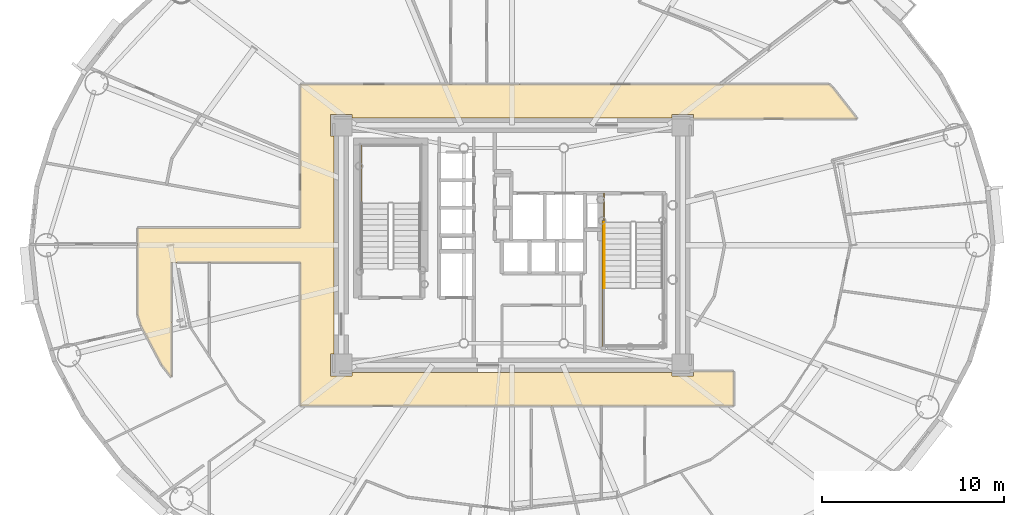
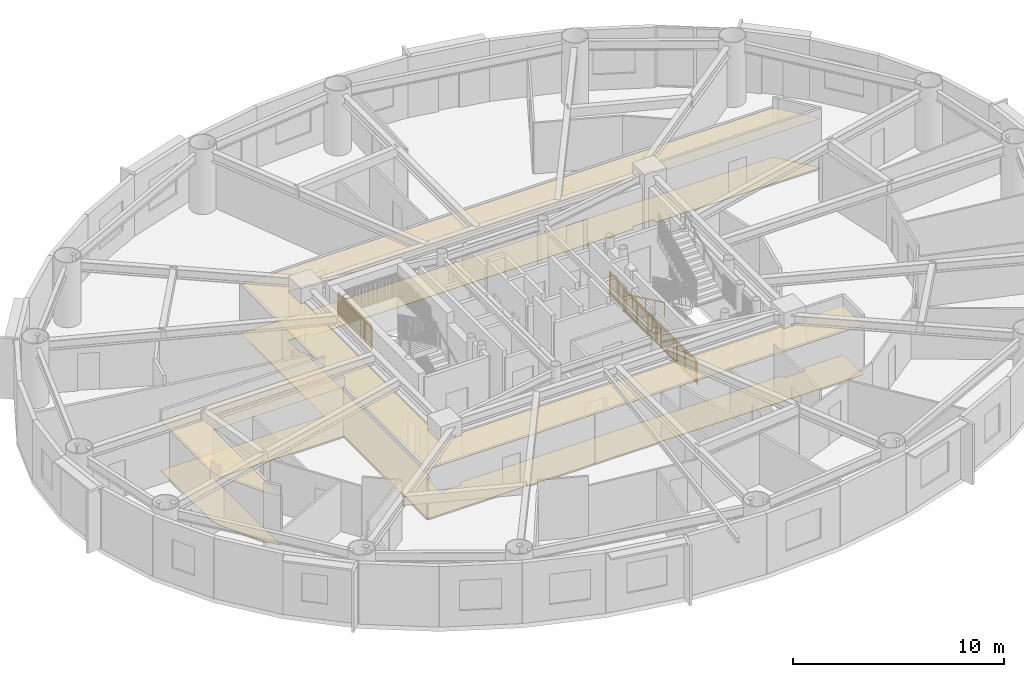
# One storey, part 17 of 21: 4 railings, 2 coverings.
"""IFC4 building model written with IfcOpenShell, lengths in metres."""

from ifc_helpers import new_model, si_unit, direction, frame, origin, origin_2d, place, context, subcontext, project, spatial, polyline, rectangle, outline, extrude, source, transform, mapped, material, layer, layer_set, type_object, element, save


model = new_model("IFC4")

# Units and contexts
model_context = context("Model", 3, precision=1e-05, world=origin(), true_north=direction((0.0, 1.0)))
body_context = subcontext(model_context, "Body", "Model", "MODEL_VIEW")
ifc_project = project(units=[si_unit("LENGTHUNIT", "METRE"), si_unit("AREAUNIT", "SQUARE_METRE"), si_unit("VOLUMEUNIT", "CUBIC_METRE"), si_unit("PLANEANGLEUNIT", "RADIAN"), si_unit("MASSUNIT", "GRAM", prefix="KILO")], contexts=[model_context])

# Site, building, storey
site_placement = place(None, origin())
site = spatial("IfcSite", under=ifc_project, at=site_placement, CompositionType="ELEMENT")
building_placement = place(site_placement, origin())
building = spatial("IfcBuilding", under=site, at=building_placement, Name="Linh Dai School and Residence Tower", CompositionType="ELEMENT")
storey_placement = place(building_placement, frame((0.0, 0.0, 189.89990234375)))
storey = spatial("IfcBuildingStorey", under=building, at=storey_placement, Name="L46", CompositionType="ELEMENT", Elevation=189.89990234375)

# Coverings
ifc_material_1 = material(Name="Mineral Fibre Acoustic Suspended Ceiling", Category="masonry")
ifc_layer_1 = layer(ifc_material_1, 0.02001953125)
ifc_layer_set_1 = layer_set([ifc_layer_1], Name="Mineral Fibre Acoustic Suspended Ceiling")
covering_type_1 = type_object("IfcCoveringType", Name="COV-CEIL-AC-20", PredefinedType="CEILING", material=ifc_layer_set_1)
covering_1_placement = place(storey_placement, frame((0.0, 0.0, 2.85009765625)))
element("IfcCovering", 1, at=covering_1_placement, inside=storey, type_object=covering_type_1, Name="L46 Residential Floor Corridor Suspended Ceiling", PredefinedType="CEILING", context=body_context, shape_type="SweptSolid", body=[
    extrude(outline(polyline([(17.25, 19.734375), (16.720458984375, 20.410888671875), (15.57421875, 22.577880859375), (15.39990234375, 23.14599609375), (15.39990234375, 27.949951171875), (24.35009765625, 27.949951171875), (24.35009765625, 35.85009765625), (53.453857421875, 35.85009765625), (53.6533203125, 35.6669921875), (54.9970703125, 33.949951171875), (46.0, 33.949951171875), (46.0, 34.199951171875), (44.800048828125, 34.199951171875), (44.800048828125, 34.0), (27.199951171875, 34.0), (27.199951171875, 34.199951171875), (26.0, 34.199951171875), (26.0, 33.0), (26.199951171875, 33.0), (26.199951171875, 21.0), (26.0, 21.0), (26.0, 19.800048828125), (27.199951171875, 19.800048828125), (27.199951171875, 20.0), (44.800048828125, 20.0), (44.800048828125, 19.800048828125), (46.0, 19.800048828125), (46.0, 20.050048828125), (48.199951171875, 20.050048828125), (48.199951171875, 18.14990234375), (24.35009765625, 18.14990234375), (24.35009765625, 26.050048828125), (17.25, 26.050048828125), (17.25, 19.734375)])), origin(), (0.0, 0.0, 1.0), 0.02001953125),
])
ifc_material_2 = material(Name="Polished Terrazzo Floor Finish", Category="masonry")
ifc_layer_2 = layer(ifc_material_2, 0.02490234375)
ifc_layer_set_2 = layer_set([ifc_layer_2], Name="Polished Terrazzo Floor Finish")
covering_type_2 = type_object("IfcCoveringType", Name="COV-FLR-TRZ-25", PredefinedType="FLOORING", material=ifc_layer_set_2)
covering_2_placement = place(storey_placement, origin())
element("IfcCovering", 2, at=covering_2_placement, inside=storey, type_object=covering_type_2, Name="L46 Residential Floor Corridor Floor Finish", PredefinedType="FLOORING", context=body_context, shape_type="SweptSolid", body=[
    extrude(outline(polyline([(17.25, 19.734375), (16.720458984375, 20.410888671875), (15.57421875, 22.577880859375), (15.39990234375, 23.14599609375), (15.39990234375, 27.949951171875), (24.35009765625, 27.949951171875), (24.35009765625, 35.85009765625), (53.453857421875, 35.85009765625), (53.6533203125, 35.6669921875), (54.9970703125, 33.949951171875), (46.0, 33.949951171875), (46.0, 34.199951171875), (44.800048828125, 34.199951171875), (44.800048828125, 34.0), (27.199951171875, 34.0), (27.199951171875, 34.199951171875), (26.0, 34.199951171875), (26.0, 33.0), (26.199951171875, 33.0), (26.199951171875, 21.0), (26.0, 21.0), (26.0, 19.800048828125), (27.199951171875, 19.800048828125), (27.199951171875, 20.0), (44.800048828125, 20.0), (44.800048828125, 19.800048828125), (46.0, 19.800048828125), (46.0, 20.050048828125), (48.199951171875, 20.050048828125), (48.199951171875, 18.14990234375), (24.35009765625, 18.14990234375), (24.35009765625, 26.050048828125), (17.25, 26.050048828125), (17.25, 19.734375)])), origin(), (0.0, 0.0, 1.0), 0.02001953125),
])

# Railings
ifc_material_3 = material(Name="Structural Steel S355JR", Category="steel")
railing_type_1 = type_object("IfcRailingType", Name="RL-ST-GUARD-1400", PredefinedType="GUARDRAIL", material=ifc_material_3)
shared_shape_1 = source(origin(), body_context, "Body", "SweptSolid", [
    extrude(rectangle(XDim=0.048095703125, YDim=0.048095703125, at=origin_2d()), frame((0.0, 0.0, 1.3759765625), z_axis=(0.0, 1.0, 0.0), x_axis=(-1.0, 0.0, 0.0)), (0.0, 0.0, 1.0), 3.199951171875),
    extrude(rectangle(XDim=0.048095703125, YDim=0.048095703125, at=origin_2d()), frame((0.0, 0.0, 0.10009765625), z_axis=(0.0, 1.0, 0.0), x_axis=(-1.0, 0.0, 0.0)), (0.0, 0.0, 1.0), 3.199951171875),
    extrude(rectangle(XDim=0.030029296875, YDim=0.030029296875, at=origin_2d()), frame((0.0, 0.0, 1.239990234375), z_axis=(0.0, 1.0, 0.0), x_axis=(-1.0, 0.0, 0.0)), (0.0, 0.0, 1.0), 3.199951171875),
    extrude(rectangle(XDim=0.02001953125, YDim=0.02001953125, at=origin_2d()), frame((0.0, 0.096923828125, 0.10009765625)), (0.0, 0.0, 1.0), 1.251708984375),
    extrude(rectangle(XDim=0.02001953125, YDim=0.02001953125, at=origin_2d()), frame((0.0, 0.19384765625, 0.10009765625)), (0.0, 0.0, 1.0), 1.251708984375),
    extrude(rectangle(XDim=0.02001953125, YDim=0.02001953125, at=origin_2d()), frame((0.0, 0.291015625, 0.10009765625)), (0.0, 0.0, 1.0), 1.251708984375),
    extrude(rectangle(XDim=0.02001953125, YDim=0.02001953125, at=origin_2d()), frame((0.0, 0.387939453125, 0.10009765625)), (0.0, 0.0, 1.0), 1.251708984375),
    extrude(rectangle(XDim=0.02001953125, YDim=0.02001953125, at=origin_2d()), frame((0.0, 0.48486328125, 0.10009765625)), (0.0, 0.0, 1.0), 1.251708984375),
    extrude(rectangle(XDim=0.02001953125, YDim=0.02001953125, at=origin_2d()), frame((0.0, 0.581787109375, 0.10009765625)), (0.0, 0.0, 1.0), 1.251708984375),
    extrude(rectangle(XDim=0.02001953125, YDim=0.02001953125, at=origin_2d()), frame((0.0, 0.6787109375, 0.10009765625)), (0.0, 0.0, 1.0), 1.251708984375),
    extrude(rectangle(XDim=0.02001953125, YDim=0.02001953125, at=origin_2d()), frame((0.0, 0.775634765625, 0.10009765625)), (0.0, 0.0, 1.0), 1.251708984375),
    extrude(rectangle(XDim=0.02001953125, YDim=0.02001953125, at=origin_2d()), frame((0.0, 0.872802734375, 0.10009765625)), (0.0, 0.0, 1.0), 1.251708984375),
    extrude(rectangle(XDim=0.02001953125, YDim=0.02001953125, at=origin_2d()), frame((0.0, 0.9697265625, 0.10009765625)), (0.0, 0.0, 1.0), 1.251708984375),
    extrude(rectangle(XDim=0.02001953125, YDim=0.02001953125, at=origin_2d()), frame((0.0, 1.16357421875, 0.10009765625)), (0.0, 0.0, 1.0), 1.251708984375),
    extrude(rectangle(XDim=0.02001953125, YDim=0.02001953125, at=origin_2d()), frame((0.0, 1.260498046875, 0.10009765625)), (0.0, 0.0, 1.0), 1.251708984375),
    extrude(rectangle(XDim=0.02001953125, YDim=0.02001953125, at=origin_2d()), frame((0.0, 1.357666015625, 0.10009765625)), (0.0, 0.0, 1.0), 1.251708984375),
    extrude(rectangle(XDim=0.02001953125, YDim=0.02001953125, at=origin_2d()), frame((0.0, 1.45458984375, 0.10009765625)), (0.0, 0.0, 1.0), 1.251708984375),
    extrude(rectangle(XDim=0.02001953125, YDim=0.02001953125, at=origin_2d()), frame((0.0, 1.551513671875, 0.10009765625)), (0.0, 0.0, 1.0), 1.251708984375),
    extrude(rectangle(XDim=0.02001953125, YDim=0.02001953125, at=origin_2d()), frame((0.0, 1.6484375, 0.10009765625)), (0.0, 0.0, 1.0), 1.251708984375),
    extrude(rectangle(XDim=0.02001953125, YDim=0.02001953125, at=origin_2d()), frame((0.0, 1.745361328125, 0.10009765625)), (0.0, 0.0, 1.0), 1.251708984375),
    extrude(rectangle(XDim=0.02001953125, YDim=0.02001953125, at=origin_2d()), frame((0.0, 1.84228515625, 0.10009765625)), (0.0, 0.0, 1.0), 1.251708984375),
    extrude(rectangle(XDim=0.02001953125, YDim=0.02001953125, at=origin_2d()), frame((0.0, 1.939453125, 0.10009765625)), (0.0, 0.0, 1.0), 1.251708984375),
    extrude(rectangle(XDim=0.02001953125, YDim=0.02001953125, at=origin_2d()), frame((0.0, 2.036376953125, 0.10009765625)), (0.0, 0.0, 1.0), 1.251708984375),
    extrude(rectangle(XDim=0.02001953125, YDim=0.02001953125, at=origin_2d()), frame((0.0, 2.230224609375, 0.10009765625)), (0.0, 0.0, 1.0), 1.251708984375),
    extrude(rectangle(XDim=0.02001953125, YDim=0.02001953125, at=origin_2d()), frame((0.0, 2.3271484375, 0.10009765625)), (0.0, 0.0, 1.0), 1.251708984375),
    extrude(rectangle(XDim=0.02001953125, YDim=0.02001953125, at=origin_2d()), frame((0.0, 2.42431640625, 0.10009765625)), (0.0, 0.0, 1.0), 1.251708984375),
    extrude(rectangle(XDim=0.02001953125, YDim=0.02001953125, at=origin_2d()), frame((0.0, 2.521240234375, 0.10009765625)), (0.0, 0.0, 1.0), 1.251708984375),
    extrude(rectangle(XDim=0.02001953125, YDim=0.02001953125, at=origin_2d()), frame((0.0, 2.6181640625, 0.10009765625)), (0.0, 0.0, 1.0), 1.251708984375),
    extrude(rectangle(XDim=0.02001953125, YDim=0.02001953125, at=origin_2d()), frame((0.0, 2.715087890625, 0.10009765625)), (0.0, 0.0, 1.0), 1.251708984375),
    extrude(rectangle(XDim=0.02001953125, YDim=0.02001953125, at=origin_2d()), frame((0.0, 2.81201171875, 0.10009765625)), (0.0, 0.0, 1.0), 1.251708984375),
    extrude(rectangle(XDim=0.02001953125, YDim=0.02001953125, at=origin_2d()), frame((0.0, 2.908935546875, 0.10009765625)), (0.0, 0.0, 1.0), 1.251708984375),
    extrude(rectangle(XDim=0.02001953125, YDim=0.02001953125, at=origin_2d()), frame((0.0, 3.006103515625, 0.10009765625)), (0.0, 0.0, 1.0), 1.251708984375),
    extrude(rectangle(XDim=0.02001953125, YDim=0.02001953125, at=origin_2d()), frame((0.0, 3.10302734375, 0.10009765625)), (0.0, 0.0, 1.0), 1.251708984375),
    extrude(rectangle(XDim=0.0419921875, YDim=0.0419921875, at=origin_2d()), origin(), (0.0, 0.0, 1.0), 1.3759765625),
    extrude(rectangle(XDim=0.0419921875, YDim=0.0419921875, at=origin_2d()), frame((0.0, 1.066650390625, 0.0)), (0.0, 0.0, 1.0), 1.3759765625),
    extrude(rectangle(XDim=0.0419921875, YDim=0.0419921875, at=origin_2d()), frame((0.0, 2.13330078125, 0.0)), (0.0, 0.0, 1.0), 1.3759765625),
    extrude(rectangle(XDim=0.0419921875, YDim=0.0419921875, at=origin_2d()), frame((0.0, 3.199951171875, 0.0)), (0.0, 0.0, 1.0), 1.3759765625),
])
railing_1_placement = place(storey_placement, frame((27.72998046875, 29.300048828125, 1.875)))
element("IfcRailing", 3, at=railing_1_placement, inside=storey, type_object=railing_type_1, Name="L46 ST1 stair guard 4", PredefinedType="GUARDRAIL", context=body_context, shape_type="MappedRepresentation", body=[
    mapped(shared_shape_1, transform((0.0, 0.0, 0.0), x_axis=(1.0, 0.0, 0.0), y_axis=(0.0, 1.0, 0.0), z_axis=(0.0, 0.0, 1.0), scale=1.0)),
])
ifc_material_4 = material(Name="Brushed Stainless Steel Handrail", Category="steel")
railing_type_2 = type_object("IfcRailingType", Name="RL-ST-HANDRAIL-900", PredefinedType="HANDRAIL", material=ifc_material_4)
shared_shape_2 = source(origin(), body_context, "Body", "SweptSolid", [
    extrude(rectangle(XDim=0.048095703125, YDim=0.048095703125, at=origin_2d()), frame((0.0, 0.0, 0.8759765625), z_axis=(0.0, -0.901262522062, 0.433273431364), x_axis=(1.0, 0.0, 0.0)), (0.0, 0.0, 1.0), 3.994384765625),
    extrude(rectangle(XDim=0.0419921875, YDim=0.0419921875, at=origin_2d()), origin(), (0.0, 0.0, 1.0), 0.8759765625),
    extrude(rectangle(XDim=0.0419921875, YDim=0.0419921875, at=origin_2d()), frame((0.0, -0.89990234375, 0.4326171875)), (0.0, 0.0, 1.0), 0.8759765625),
    extrude(rectangle(XDim=0.0419921875, YDim=0.0419921875, at=origin_2d()), frame((0.0, -1.800048828125, 0.865234375)), (0.0, 0.0, 1.0), 0.8759765625),
    extrude(rectangle(XDim=0.0419921875, YDim=0.0419921875, at=origin_2d()), frame((0.0, -2.7001953125, 1.298095703125)), (0.0, 0.0, 1.0), 0.8759765625),
    extrude(rectangle(XDim=0.0419921875, YDim=0.0419921875, at=origin_2d()), frame((0.0, -3.60009765625, 1.730712890625)), (0.0, 0.0, 1.0), 0.8759765625),
])
railing_2_placement = place(storey_placement, frame((41.070068359375, 28.25, 0.144287109375)))
element("IfcRailing", 4, at=railing_2_placement, inside=storey, type_object=railing_type_2, Name="L46 ST2 stair handrail 1", PredefinedType="HANDRAIL", context=body_context, shape_type="MappedRepresentation", body=[
    mapped(shared_shape_2, transform((0.0, 0.0, 0.0), x_axis=(1.0, 0.0, 0.0), y_axis=(0.0, 1.0, 0.0), z_axis=(0.0, 0.0, 1.0), scale=1.0)),
])
shared_shape_3 = source(origin(), body_context, "Body", "SweptSolid", [
    extrude(rectangle(XDim=0.048095703125, YDim=0.048095703125, at=origin_2d()), frame((0.0, 0.0, 1.3759765625), z_axis=(0.0, -1.0, 0.0), x_axis=(1.0, 0.0, 0.0)), (0.0, 0.0, 1.0), 1.60009765625),
    extrude(rectangle(XDim=0.048095703125, YDim=0.048095703125, at=origin_2d()), frame((0.0, 0.0, 0.10009765625), z_axis=(0.0, -1.0, 0.0), x_axis=(1.0, 0.0, 0.0)), (0.0, 0.0, 1.0), 1.60009765625),
    extrude(rectangle(XDim=0.030029296875, YDim=0.030029296875, at=origin_2d()), frame((0.0, 0.0, 1.239990234375), z_axis=(0.0, -1.0, 0.0), x_axis=(1.0, 0.0, 0.0)), (0.0, 0.0, 1.0), 1.60009765625),
    extrude(rectangle(XDim=0.02001953125, YDim=0.02001953125, at=origin_2d()), frame((0.0, -0.09423828125, 0.10009765625)), (0.0, 0.0, 1.0), 1.251708984375),
    extrude(rectangle(XDim=0.02001953125, YDim=0.02001953125, at=origin_2d()), frame((0.0, -0.188232421875, 0.10009765625)), (0.0, 0.0, 1.0), 1.251708984375),
    extrude(rectangle(XDim=0.02001953125, YDim=0.02001953125, at=origin_2d()), frame((0.0, -0.282470703125, 0.10009765625)), (0.0, 0.0, 1.0), 1.251708984375),
    extrude(rectangle(XDim=0.02001953125, YDim=0.02001953125, at=origin_2d()), frame((0.0, -0.37646484375, 0.10009765625)), (0.0, 0.0, 1.0), 1.251708984375),
    extrude(rectangle(XDim=0.02001953125, YDim=0.02001953125, at=origin_2d()), frame((0.0, -0.470703125, 0.10009765625)), (0.0, 0.0, 1.0), 1.251708984375),
    extrude(rectangle(XDim=0.02001953125, YDim=0.02001953125, at=origin_2d()), frame((0.0, -0.564697265625, 0.10009765625)), (0.0, 0.0, 1.0), 1.251708984375),
    extrude(rectangle(XDim=0.02001953125, YDim=0.02001953125, at=origin_2d()), frame((0.0, -0.658935546875, 0.10009765625)), (0.0, 0.0, 1.0), 1.251708984375),
    extrude(rectangle(XDim=0.02001953125, YDim=0.02001953125, at=origin_2d()), frame((0.0, -0.7529296875, 0.10009765625)), (0.0, 0.0, 1.0), 1.251708984375),
    extrude(rectangle(XDim=0.02001953125, YDim=0.02001953125, at=origin_2d()), frame((0.0, -0.84716796875, 0.10009765625)), (0.0, 0.0, 1.0), 1.251708984375),
    extrude(rectangle(XDim=0.02001953125, YDim=0.02001953125, at=origin_2d()), frame((0.0, -0.941162109375, 0.10009765625)), (0.0, 0.0, 1.0), 1.251708984375),
    extrude(rectangle(XDim=0.02001953125, YDim=0.02001953125, at=origin_2d()), frame((0.0, -1.035400390625, 0.10009765625)), (0.0, 0.0, 1.0), 1.251708984375),
    extrude(rectangle(XDim=0.02001953125, YDim=0.02001953125, at=origin_2d()), frame((0.0, -1.12939453125, 0.10009765625)), (0.0, 0.0, 1.0), 1.251708984375),
    extrude(rectangle(XDim=0.02001953125, YDim=0.02001953125, at=origin_2d()), frame((0.0, -1.2236328125, 0.10009765625)), (0.0, 0.0, 1.0), 1.251708984375),
    extrude(rectangle(XDim=0.02001953125, YDim=0.02001953125, at=origin_2d()), frame((0.0, -1.317626953125, 0.10009765625)), (0.0, 0.0, 1.0), 1.251708984375),
    extrude(rectangle(XDim=0.02001953125, YDim=0.02001953125, at=origin_2d()), frame((0.0, -1.411865234375, 0.10009765625)), (0.0, 0.0, 1.0), 1.251708984375),
    extrude(rectangle(XDim=0.02001953125, YDim=0.02001953125, at=origin_2d()), frame((0.0, -1.505859375, 0.10009765625)), (0.0, 0.0, 1.0), 1.251708984375),
    extrude(rectangle(XDim=0.0419921875, YDim=0.0419921875, at=origin_2d()), origin(), (0.0, 0.0, 1.0), 1.3759765625),
    extrude(rectangle(XDim=0.0419921875, YDim=0.0419921875, at=origin_2d()), frame((0.0, -0.800048828125, 0.0)), (0.0, 0.0, 1.0), 1.3759765625),
    extrude(rectangle(XDim=0.0419921875, YDim=0.0419921875, at=origin_2d()), frame((0.0, -1.60009765625, 0.0)), (0.0, 0.0, 1.0), 1.3759765625),
])
railing_3_placement = place(storey_placement, frame((41.070068359375, 29.85009765625, 0.0)))
element("IfcRailing", 5, at=railing_3_placement, inside=storey, type_object=railing_type_1, Name="L46 ST2 stair guard 8", PredefinedType="GUARDRAIL", context=body_context, shape_type="MappedRepresentation", body=[
    mapped(shared_shape_3, transform((0.0, 0.0, 0.0), x_axis=(1.0, 0.0, 0.0), y_axis=(0.0, 1.0, 0.0), z_axis=(0.0, 0.0, 1.0), scale=1.0)),
])
shared_shape_4 = source(origin(), body_context, "Body", "SweptSolid", [
    extrude(rectangle(XDim=0.048095703125, YDim=0.048095703125, at=origin_2d()), frame((0.0, 0.0, 1.3759765625), z_axis=(0.0, -1.0, 0.0), x_axis=(1.0, 0.0, 0.0)), (0.0, 0.0, 1.0), 7.0),
    extrude(rectangle(XDim=0.048095703125, YDim=0.048095703125, at=origin_2d()), frame((0.0, 0.0, 0.10009765625), z_axis=(0.0, -1.0, 0.0), x_axis=(1.0, 0.0, 0.0)), (0.0, 0.0, 1.0), 7.0),
    extrude(rectangle(XDim=0.030029296875, YDim=0.030029296875, at=origin_2d()), frame((0.0, 0.0, 1.239990234375), z_axis=(0.0, -1.0, 0.0), x_axis=(1.0, 0.0, 0.0)), (0.0, 0.0, 1.0), 7.0),
    extrude(rectangle(XDim=0.02001953125, YDim=0.02001953125, at=origin_2d()), frame((0.0, -0.09716796875, 0.10009765625)), (0.0, 0.0, 1.0), 1.251708984375),
    extrude(rectangle(XDim=0.02001953125, YDim=0.02001953125, at=origin_2d()), frame((0.0, -0.1943359375, 0.10009765625)), (0.0, 0.0, 1.0), 1.251708984375),
    extrude(rectangle(XDim=0.02001953125, YDim=0.02001953125, at=origin_2d()), frame((0.0, -0.291748046875, 0.10009765625)), (0.0, 0.0, 1.0), 1.251708984375),
    extrude(rectangle(XDim=0.02001953125, YDim=0.02001953125, at=origin_2d()), frame((0.0, -0.388916015625, 0.10009765625)), (0.0, 0.0, 1.0), 1.251708984375),
    extrude(rectangle(XDim=0.02001953125, YDim=0.02001953125, at=origin_2d()), frame((0.0, -0.486083984375, 0.10009765625)), (0.0, 0.0, 1.0), 1.251708984375),
    extrude(rectangle(XDim=0.02001953125, YDim=0.02001953125, at=origin_2d()), frame((0.0, -0.583251953125, 0.10009765625)), (0.0, 0.0, 1.0), 1.251708984375),
    extrude(rectangle(XDim=0.02001953125, YDim=0.02001953125, at=origin_2d()), frame((0.0, -0.6806640625, 0.10009765625)), (0.0, 0.0, 1.0), 1.251708984375),
    extrude(rectangle(XDim=0.02001953125, YDim=0.02001953125, at=origin_2d()), frame((0.0, -0.77783203125, 0.10009765625)), (0.0, 0.0, 1.0), 1.251708984375),
    extrude(rectangle(XDim=0.02001953125, YDim=0.02001953125, at=origin_2d()), frame((0.0, -0.875, 0.10009765625)), (0.0, 0.0, 1.0), 1.251708984375),
    extrude(rectangle(XDim=0.02001953125, YDim=0.02001953125, at=origin_2d()), frame((0.0, -0.97216796875, 0.10009765625)), (0.0, 0.0, 1.0), 1.251708984375),
    extrude(rectangle(XDim=0.02001953125, YDim=0.02001953125, at=origin_2d()), frame((0.0, -1.0693359375, 0.10009765625)), (0.0, 0.0, 1.0), 1.251708984375),
    extrude(rectangle(XDim=0.02001953125, YDim=0.02001953125, at=origin_2d()), frame((0.0, -1.263916015625, 0.10009765625)), (0.0, 0.0, 1.0), 1.251708984375),
    extrude(rectangle(XDim=0.02001953125, YDim=0.02001953125, at=origin_2d()), frame((0.0, -1.361083984375, 0.10009765625)), (0.0, 0.0, 1.0), 1.251708984375),
    extrude(rectangle(XDim=0.02001953125, YDim=0.02001953125, at=origin_2d()), frame((0.0, -1.458251953125, 0.10009765625)), (0.0, 0.0, 1.0), 1.251708984375),
    extrude(rectangle(XDim=0.02001953125, YDim=0.02001953125, at=origin_2d()), frame((0.0, -1.5556640625, 0.10009765625)), (0.0, 0.0, 1.0), 1.251708984375),
    extrude(rectangle(XDim=0.02001953125, YDim=0.02001953125, at=origin_2d()), frame((0.0, -1.65283203125, 0.10009765625)), (0.0, 0.0, 1.0), 1.251708984375),
    extrude(rectangle(XDim=0.02001953125, YDim=0.02001953125, at=origin_2d()), frame((0.0, -1.75, 0.10009765625)), (0.0, 0.0, 1.0), 1.251708984375),
    extrude(rectangle(XDim=0.02001953125, YDim=0.02001953125, at=origin_2d()), frame((0.0, -1.84716796875, 0.10009765625)), (0.0, 0.0, 1.0), 1.251708984375),
    extrude(rectangle(XDim=0.02001953125, YDim=0.02001953125, at=origin_2d()), frame((0.0, -1.9443359375, 0.10009765625)), (0.0, 0.0, 1.0), 1.251708984375),
    extrude(rectangle(XDim=0.02001953125, YDim=0.02001953125, at=origin_2d()), frame((0.0, -2.041748046875, 0.10009765625)), (0.0, 0.0, 1.0), 1.251708984375),
    extrude(rectangle(XDim=0.02001953125, YDim=0.02001953125, at=origin_2d()), frame((0.0, -2.138916015625, 0.10009765625)), (0.0, 0.0, 1.0), 1.251708984375),
    extrude(rectangle(XDim=0.02001953125, YDim=0.02001953125, at=origin_2d()), frame((0.0, -2.236083984375, 0.10009765625)), (0.0, 0.0, 1.0), 1.251708984375),
    extrude(rectangle(XDim=0.02001953125, YDim=0.02001953125, at=origin_2d()), frame((0.0, -2.4306640625, 0.10009765625)), (0.0, 0.0, 1.0), 1.251708984375),
    extrude(rectangle(XDim=0.02001953125, YDim=0.02001953125, at=origin_2d()), frame((0.0, -2.52783203125, 0.10009765625)), (0.0, 0.0, 1.0), 1.251708984375),
    extrude(rectangle(XDim=0.02001953125, YDim=0.02001953125, at=origin_2d()), frame((0.0, -2.625, 0.10009765625)), (0.0, 0.0, 1.0), 1.251708984375),
    extrude(rectangle(XDim=0.02001953125, YDim=0.02001953125, at=origin_2d()), frame((0.0, -2.72216796875, 0.10009765625)), (0.0, 0.0, 1.0), 1.251708984375),
    extrude(rectangle(XDim=0.02001953125, YDim=0.02001953125, at=origin_2d()), frame((0.0, -2.8193359375, 0.10009765625)), (0.0, 0.0, 1.0), 1.251708984375),
    extrude(rectangle(XDim=0.02001953125, YDim=0.02001953125, at=origin_2d()), frame((0.0, -2.916748046875, 0.10009765625)), (0.0, 0.0, 1.0), 1.251708984375),
    extrude(rectangle(XDim=0.02001953125, YDim=0.02001953125, at=origin_2d()), frame((0.0, -3.013916015625, 0.10009765625)), (0.0, 0.0, 1.0), 1.251708984375),
    extrude(rectangle(XDim=0.02001953125, YDim=0.02001953125, at=origin_2d()), frame((0.0, -3.111083984375, 0.10009765625)), (0.0, 0.0, 1.0), 1.251708984375),
    extrude(rectangle(XDim=0.02001953125, YDim=0.02001953125, at=origin_2d()), frame((0.0, -3.208251953125, 0.10009765625)), (0.0, 0.0, 1.0), 1.251708984375),
    extrude(rectangle(XDim=0.02001953125, YDim=0.02001953125, at=origin_2d()), frame((0.0, -3.3056640625, 0.10009765625)), (0.0, 0.0, 1.0), 1.251708984375),
    extrude(rectangle(XDim=0.02001953125, YDim=0.02001953125, at=origin_2d()), frame((0.0, -3.40283203125, 0.10009765625)), (0.0, 0.0, 1.0), 1.251708984375),
    extrude(rectangle(XDim=0.02001953125, YDim=0.02001953125, at=origin_2d()), frame((0.0, -3.59716796875, 0.10009765625)), (0.0, 0.0, 1.0), 1.251708984375),
    extrude(rectangle(XDim=0.02001953125, YDim=0.02001953125, at=origin_2d()), frame((0.0, -3.6943359375, 0.10009765625)), (0.0, 0.0, 1.0), 1.251708984375),
    extrude(rectangle(XDim=0.02001953125, YDim=0.02001953125, at=origin_2d()), frame((0.0, -3.791748046875, 0.10009765625)), (0.0, 0.0, 1.0), 1.251708984375),
    extrude(rectangle(XDim=0.02001953125, YDim=0.02001953125, at=origin_2d()), frame((0.0, -3.888916015625, 0.10009765625)), (0.0, 0.0, 1.0), 1.251708984375),
    extrude(rectangle(XDim=0.02001953125, YDim=0.02001953125, at=origin_2d()), frame((0.0, -3.986083984375, 0.10009765625)), (0.0, 0.0, 1.0), 1.251708984375),
    extrude(rectangle(XDim=0.02001953125, YDim=0.02001953125, at=origin_2d()), frame((0.0, -4.083251953125, 0.10009765625)), (0.0, 0.0, 1.0), 1.251708984375),
    extrude(rectangle(XDim=0.02001953125, YDim=0.02001953125, at=origin_2d()), frame((0.0, -4.1806640625, 0.10009765625)), (0.0, 0.0, 1.0), 1.251708984375),
    extrude(rectangle(XDim=0.02001953125, YDim=0.02001953125, at=origin_2d()), frame((0.0, -4.27783203125, 0.10009765625)), (0.0, 0.0, 1.0), 1.251708984375),
    extrude(rectangle(XDim=0.02001953125, YDim=0.02001953125, at=origin_2d()), frame((0.0, -4.375, 0.10009765625)), (0.0, 0.0, 1.0), 1.251708984375),
    extrude(rectangle(XDim=0.02001953125, YDim=0.02001953125, at=origin_2d()), frame((0.0, -4.47216796875, 0.10009765625)), (0.0, 0.0, 1.0), 1.251708984375),
    extrude(rectangle(XDim=0.02001953125, YDim=0.02001953125, at=origin_2d()), frame((0.0, -4.5693359375, 0.10009765625)), (0.0, 0.0, 1.0), 1.251708984375),
    extrude(rectangle(XDim=0.02001953125, YDim=0.02001953125, at=origin_2d()), frame((0.0, -4.763916015625, 0.10009765625)), (0.0, 0.0, 1.0), 1.251708984375),
    extrude(rectangle(XDim=0.02001953125, YDim=0.02001953125, at=origin_2d()), frame((0.0, -4.861083984375, 0.10009765625)), (0.0, 0.0, 1.0), 1.251708984375),
    extrude(rectangle(XDim=0.02001953125, YDim=0.02001953125, at=origin_2d()), frame((0.0, -4.958251953125, 0.10009765625)), (0.0, 0.0, 1.0), 1.251708984375),
    extrude(rectangle(XDim=0.02001953125, YDim=0.02001953125, at=origin_2d()), frame((0.0, -5.0556640625, 0.10009765625)), (0.0, 0.0, 1.0), 1.251708984375),
    extrude(rectangle(XDim=0.02001953125, YDim=0.02001953125, at=origin_2d()), frame((0.0, -5.15283203125, 0.10009765625)), (0.0, 0.0, 1.0), 1.251708984375),
    extrude(rectangle(XDim=0.02001953125, YDim=0.02001953125, at=origin_2d()), frame((0.0, -5.25, 0.10009765625)), (0.0, 0.0, 1.0), 1.251708984375),
    extrude(rectangle(XDim=0.02001953125, YDim=0.02001953125, at=origin_2d()), frame((0.0, -5.34716796875, 0.10009765625)), (0.0, 0.0, 1.0), 1.251708984375),
    extrude(rectangle(XDim=0.02001953125, YDim=0.02001953125, at=origin_2d()), frame((0.0, -5.4443359375, 0.10009765625)), (0.0, 0.0, 1.0), 1.251708984375),
    extrude(rectangle(XDim=0.02001953125, YDim=0.02001953125, at=origin_2d()), frame((0.0, -5.541748046875, 0.10009765625)), (0.0, 0.0, 1.0), 1.251708984375),
    extrude(rectangle(XDim=0.02001953125, YDim=0.02001953125, at=origin_2d()), frame((0.0, -5.638916015625, 0.10009765625)), (0.0, 0.0, 1.0), 1.251708984375),
    extrude(rectangle(XDim=0.02001953125, YDim=0.02001953125, at=origin_2d()), frame((0.0, -5.736083984375, 0.10009765625)), (0.0, 0.0, 1.0), 1.251708984375),
    extrude(rectangle(XDim=0.02001953125, YDim=0.02001953125, at=origin_2d()), frame((0.0, -5.9306640625, 0.10009765625)), (0.0, 0.0, 1.0), 1.251708984375),
    extrude(rectangle(XDim=0.02001953125, YDim=0.02001953125, at=origin_2d()), frame((0.0, -6.02783203125, 0.10009765625)), (0.0, 0.0, 1.0), 1.251708984375),
    extrude(rectangle(XDim=0.02001953125, YDim=0.02001953125, at=origin_2d()), frame((0.0, -6.125, 0.10009765625)), (0.0, 0.0, 1.0), 1.251708984375),
    extrude(rectangle(XDim=0.02001953125, YDim=0.02001953125, at=origin_2d()), frame((0.0, -6.22216796875, 0.10009765625)), (0.0, 0.0, 1.0), 1.251708984375),
    extrude(rectangle(XDim=0.02001953125, YDim=0.02001953125, at=origin_2d()), frame((0.0, -6.3193359375, 0.10009765625)), (0.0, 0.0, 1.0), 1.251708984375),
    extrude(rectangle(XDim=0.02001953125, YDim=0.02001953125, at=origin_2d()), frame((0.0, -6.416748046875, 0.10009765625)), (0.0, 0.0, 1.0), 1.251708984375),
    extrude(rectangle(XDim=0.02001953125, YDim=0.02001953125, at=origin_2d()), frame((0.0, -6.513916015625, 0.10009765625)), (0.0, 0.0, 1.0), 1.251708984375),
    extrude(rectangle(XDim=0.02001953125, YDim=0.02001953125, at=origin_2d()), frame((0.0, -6.611083984375, 0.10009765625)), (0.0, 0.0, 1.0), 1.251708984375),
    extrude(rectangle(XDim=0.02001953125, YDim=0.02001953125, at=origin_2d()), frame((0.0, -6.708251953125, 0.10009765625)), (0.0, 0.0, 1.0), 1.251708984375),
    extrude(rectangle(XDim=0.02001953125, YDim=0.02001953125, at=origin_2d()), frame((0.0, -6.8056640625, 0.10009765625)), (0.0, 0.0, 1.0), 1.251708984375),
    extrude(rectangle(XDim=0.02001953125, YDim=0.02001953125, at=origin_2d()), frame((0.0, -6.90283203125, 0.10009765625)), (0.0, 0.0, 1.0), 1.251708984375),
    extrude(rectangle(XDim=0.0419921875, YDim=0.0419921875, at=origin_2d()), origin(), (0.0, 0.0, 1.0), 1.3759765625),
    extrude(rectangle(XDim=0.0419921875, YDim=0.0419921875, at=origin_2d()), frame((0.0, -1.166748046875, 0.0)), (0.0, 0.0, 1.0), 1.3759765625),
    extrude(rectangle(XDim=0.0419921875, YDim=0.0419921875, at=origin_2d()), frame((0.0, -2.333251953125, 0.0)), (0.0, 0.0, 1.0), 1.3759765625),
    extrude(rectangle(XDim=0.0419921875, YDim=0.0419921875, at=origin_2d()), frame((0.0, -3.5, 0.0)), (0.0, 0.0, 1.0), 1.3759765625),
    extrude(rectangle(XDim=0.0419921875, YDim=0.0419921875, at=origin_2d()), frame((0.0, -4.666748046875, 0.0)), (0.0, 0.0, 1.0), 1.3759765625),
    extrude(rectangle(XDim=0.0419921875, YDim=0.0419921875, at=origin_2d()), frame((0.0, -5.833251953125, 0.0)), (0.0, 0.0, 1.0), 1.3759765625),
    extrude(rectangle(XDim=0.0419921875, YDim=0.0419921875, at=origin_2d()), frame((0.0, -7.0, 0.0)), (0.0, 0.0, 1.0), 1.3759765625),
])
railing_4_placement = place(storey_placement, frame((40.969970703125, 28.35009765625, 0.0)))
element("IfcRailing", 6, at=railing_4_placement, inside=storey, type_object=railing_type_1, Name="L46 ST2 stair guard 10", PredefinedType="GUARDRAIL", context=body_context, shape_type="MappedRepresentation", body=[
    mapped(shared_shape_4, transform((0.0, 0.0, 0.0), x_axis=(1.0, 0.0, 0.0), y_axis=(0.0, 1.0, 0.0), z_axis=(0.0, 0.0, 1.0), scale=1.0)),
])

save(model, "model.ifc")
